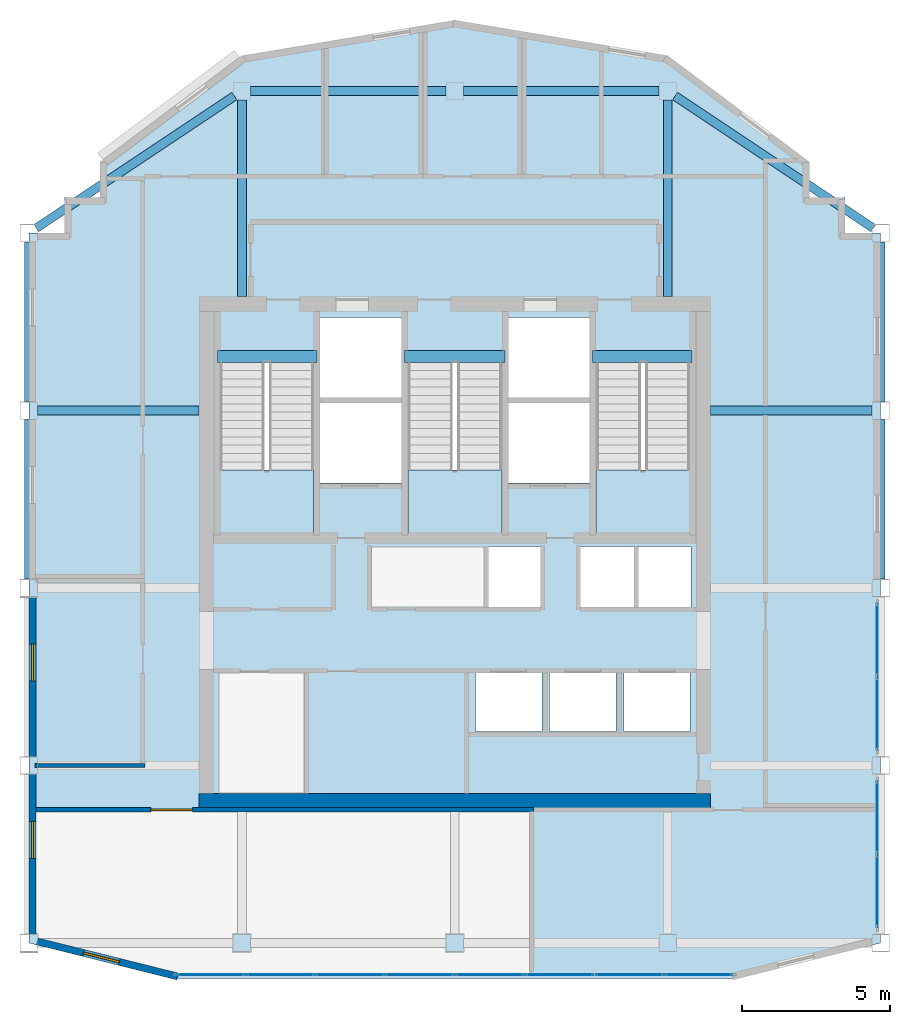
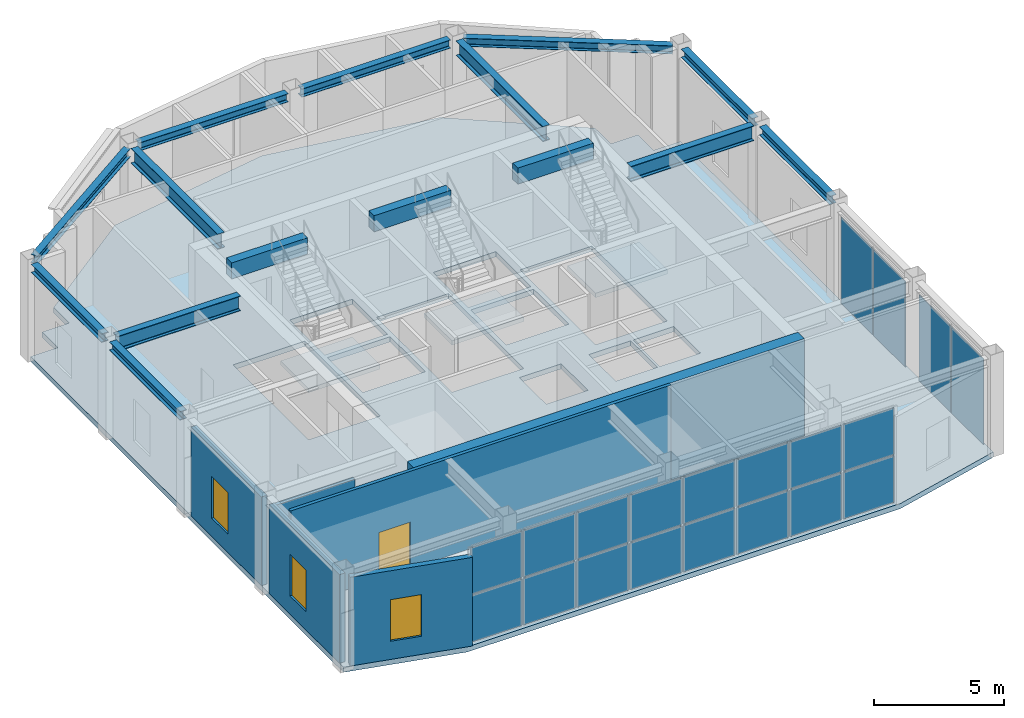
# One storey, part 6 of 11: 20 plates, 15 beams, 6 walls, 4 slabs, 3 windows, 1 door, 4 openings, 6 elements without a shape of their own.
"""IFC4 building model written with IfcOpenShell, lengths in metres."""

from ifc_helpers import new_model, si_unit, direction, frame, frame_2d, origin, origin_2d, place, context, subcontext, project, spatial, polyline, rectangle, i_section, outline, extrude, material, layer, layer_set, material_profile, profile_set, type_object, element, fill, aggregate, save


model = new_model("IFC4")

# Units and contexts
model_context = context("Model", 3, precision=1e-05, world=origin(), true_north=direction((0.0, 1.0)))
body_context = subcontext(model_context, "Body", "Model", "MODEL_VIEW")
ifc_project = project(units=[si_unit("LENGTHUNIT", "METRE"), si_unit("AREAUNIT", "SQUARE_METRE"), si_unit("VOLUMEUNIT", "CUBIC_METRE"), si_unit("PLANEANGLEUNIT", "RADIAN"), si_unit("MASSUNIT", "GRAM", prefix="KILO")], contexts=[model_context])

# Site, building, storey
site_placement = place(None, origin())
site = spatial("IfcSite", under=ifc_project, at=site_placement, CompositionType="ELEMENT")
building_placement = place(site_placement, origin())
building = spatial("IfcBuilding", under=site, at=building_placement, Name="Haolan Belvedere Tower", CompositionType="ELEMENT")
storey_placement = place(building_placement, frame((0.0, 0.0, 313.39990234375)))
storey = spatial("IfcBuildingStorey", under=building, at=storey_placement, Name="L79", CompositionType="ELEMENT", Elevation=313.39990234375)

# Beams
ifc_material_1 = material(Name="Steel Q355B", Category="steel")
ifc_material_profile_1 = material_profile(ifc_material_1, i_section(OverallWidth=0.300048828125, OverallDepth=0.389892578125, WebThickness=0.010009765625, FlangeThickness=0.01611328125, FilletRadius=0.02197265625, at=origin_2d()), Name="Steel Q355B")
ifc_profile_set_1 = profile_set([ifc_material_profile_1], Name="Steel Q355B")
beam_type_1 = type_object("IfcBeamType", Name="BM-HM390x300x10x16", PredefinedType="SPANDREL", material=ifc_profile_set_1)
for number, where, z_axis, x_axis, name in (
    (1, (24.0, 33.89990234375, 4.364990234375), (0.0, 1.0, 0.0), (-1.0, 0.0, 0.0), "L79 spandrel girder MC-T3-MW-TC-T3-W2"),
    (2, (24.0, 39.89990234375, 4.364990234375), (0.0, 1.0, 0.0), (-1.0, 0.0, 0.0), "L79 spandrel girder TC-T3-W2-MC-T3-NW"),
    (3, (52.800048828125, 33.89990234375, 4.364990234375), (0.0, 1.0, 0.0), (-1.0, 0.0, 0.0), "L79 spandrel girder MC-T3-ME-TC-T3-E2"),
    (4, (52.800048828125, 39.89990234375, 4.364990234375), (0.0, 1.0, 0.0), (-1.0, 0.0, 0.0), "L79 spandrel girder TC-T3-E2-MC-T3-NE"),
):
    element("IfcBeam", number, at=place(storey_placement, frame(where, z_axis=z_axis, x_axis=x_axis)), inside=storey, type_object=beam_type_1, Name=name, PredefinedType="SPANDREL", context=body_context, shape_type="SweptSolid", body=[
        extrude(i_section(OverallWidth=0.300048828125, OverallDepth=0.389892578125, WebThickness=0.010009765625, FlangeThickness=0.01611328125, FilletRadius=0.02197265625, at=origin_2d()), origin(), (0.0, 0.0, 1.0), 5.400146484375),
    ])
beam_1_placement = place(storey_placement, frame((24.24951171875, 45.766357421875, 4.364990234375), z_axis=(0.832050294338, 0.554700196225, 0.0), x_axis=(-0.554700196225, 0.832050294338, 0.0)))
element("IfcBeam", 5, at=beam_1_placement, inside=storey, type_object=beam_type_1, Name="L79 spandrel girder MC-T3-NW-MC-T3-N1", PredefinedType="SPANDREL", context=body_context, shape_type="SweptSolid", body=[
    extrude(i_section(OverallWidth=0.300048828125, OverallDepth=0.389892578125, WebThickness=0.010009765625, FlangeThickness=0.01611328125, FilletRadius=0.02197265625, at=origin_2d()), origin(), (0.0, 0.0, 1.0), 8.053466796875),
])
for number, where, z_axis, x_axis, name in (
    (6, (31.5, 50.39990234375, 4.364990234375), (1.0, 0.0, 0.0), (0.0, 1.0, 0.0), "L79 spandrel girder MC-T3-N1-TC-T3-NM"),
    (7, (38.699951171875, 50.39990234375, 4.364990234375), (1.0, 0.0, 0.0), (0.0, 1.0, 0.0), "L79 spandrel girder TC-T3-NM-MC-T3-N2"),
):
    element("IfcBeam", number, at=place(storey_placement, frame(where, z_axis=z_axis, x_axis=x_axis)), inside=storey, type_object=beam_type_1, Name=name, PredefinedType="SPANDREL", context=body_context, shape_type="SweptSolid", body=[
        extrude(i_section(OverallWidth=0.300048828125, OverallDepth=0.389892578125, WebThickness=0.010009765625, FlangeThickness=0.01611328125, FilletRadius=0.02197265625, at=origin_2d()), origin(), (0.0, 0.0, 1.0), 6.60009765625),
    ])
beam_2_placement = place(storey_placement, frame((45.849609375, 50.233642578125, 4.364990234375), z_axis=(0.832040966354, -0.554714187946, 0.0), x_axis=(0.554714187946, 0.832040966354, 0.0)))
element("IfcBeam", 8, at=beam_2_placement, inside=storey, type_object=beam_type_1, Name="L79 spandrel girder MC-T3-N2-MC-T3-NE", PredefinedType="SPANDREL", context=body_context, shape_type="SweptSolid", body=[
    extrude(i_section(OverallWidth=0.300048828125, OverallDepth=0.389892578125, WebThickness=0.010009765625, FlangeThickness=0.01611328125, FilletRadius=0.02197265625, at=origin_2d()), origin(), (0.0, 0.0, 1.0), 8.05322265625),
])
ifc_material_profile_2 = material_profile(ifc_material_1, i_section(OverallWidth=0.300048828125, OverallDepth=0.699951171875, WebThickness=0.012939453125, FlangeThickness=0.02392578125, FilletRadius=0.02587890625, at=origin_2d()), Name="Steel Q355B")
ifc_profile_set_2 = profile_set([ifc_material_profile_2], Name="Steel Q355B")
beam_type_2 = type_object("IfcBeamType", Name="BM-HN700x300x13x24", PredefinedType="BEAM", material=ifc_profile_set_2)
for number, where, z_axis, x_axis, name in (
    (9, (24.300048828125, 39.60009765625, 4.210205078125), (1.0, 0.0, 0.0), (0.0, 1.0, 0.0), "L79 core tie beam from TC-T3-W2"),
    (10, (52.5, 39.60009765625, 4.210205078125), (-1.0, 0.0, 0.0), (0.0, -1.0, 0.0), "L79 core tie beam from TC-T3-E2"),
):
    element("IfcBeam", number, at=place(storey_placement, frame(where, z_axis=z_axis, x_axis=x_axis)), inside=storey, type_object=beam_type_2, Name=name, PredefinedType="BEAM", context=body_context, shape_type="SweptSolid", body=[
        extrude(i_section(OverallWidth=0.300048828125, OverallDepth=0.699951171875, WebThickness=0.012939453125, FlangeThickness=0.02392578125, FilletRadius=0.02587890625, at=origin_2d()), origin(), (0.0, 0.0, 1.0), 5.449951171875),
    ])
for number, where, z_axis, x_axis, name in (
    (11, (31.199951171875, 50.10009765625, 4.210205078125), (0.0, -1.0, 0.0), (1.0, 0.0, 0.0), "L79 core tie beam from MC-T3-N1"),
    (12, (45.60009765625, 50.10009765625, 4.210205078125), (0.0, -1.0, 0.0), (1.0, 0.0, 0.0), "L79 core tie beam from MC-T3-N2"),
):
    element("IfcBeam", number, at=place(storey_placement, frame(where, z_axis=z_axis, x_axis=x_axis)), inside=storey, type_object=beam_type_2, Name=name, PredefinedType="BEAM", context=body_context, shape_type="SweptSolid", body=[
        extrude(i_section(OverallWidth=0.300048828125, OverallDepth=0.699951171875, WebThickness=0.012939453125, FlangeThickness=0.02392578125, FilletRadius=0.02587890625, at=origin_2d()), origin(), (0.0, 0.0, 1.0), 6.650146484375),
    ])
ifc_material_2 = material(Name="Concrete C50/60", Category="concrete")
ifc_material_profile_3 = material_profile(ifc_material_2, rectangle(XDim=0.39990234375, YDim=0.75, at=origin_2d()), Name="Concrete C50/60")
ifc_profile_set_3 = profile_set([ifc_material_profile_3], Name="Concrete C50/60")
beam_type_3 = type_object("IfcBeamType", Name="BM-RC400x750", PredefinedType="T_BEAM", material=ifc_profile_set_3)
beam_3_placement = place(storey_placement, frame((30.3798828125, 41.429931640625, 4.425048828125), z_axis=(1.0, 0.0, 0.0), x_axis=(0.0, 1.0, 0.0)))
element("IfcBeam", 13, at=beam_3_placement, inside=storey, type_object=beam_type_3, Name="L80 stair ST1 RC header trimmer beam", PredefinedType="BEAM", context=body_context, shape_type="SweptSolid", body=[
    extrude(rectangle(XDim=0.39990234375, YDim=0.75, at=origin_2d()), origin(), (0.0, 0.0, 1.0), 3.360107421875),
])
beam_4_placement = place(storey_placement, frame((36.699951171875, 41.429931640625, 4.425048828125), z_axis=(1.0, 0.0, 0.0), x_axis=(0.0, 1.0, 0.0)))
element("IfcBeam", 14, at=beam_4_placement, inside=storey, type_object=beam_type_3, Name="L80 stair ST3 RC header trimmer beam", PredefinedType="BEAM", context=body_context, shape_type="SweptSolid", body=[
    extrude(rectangle(XDim=0.39990234375, YDim=0.75, at=origin_2d()), origin(), (0.0, 0.0, 1.0), 3.400146484375),
])
beam_5_placement = place(storey_placement, frame((43.06005859375, 41.429931640625, 4.425048828125), z_axis=(1.0, 0.0, 0.0), x_axis=(0.0, 1.0, 0.0)))
element("IfcBeam", 15, at=beam_5_placement, inside=storey, type_object=beam_type_3, Name="L80 stair ST2 RC header trimmer beam", PredefinedType="BEAM", context=body_context, shape_type="SweptSolid", body=[
    extrude(rectangle(XDim=0.39990234375, YDim=0.75, at=origin_2d()), origin(), (0.0, 0.0, 1.0), 3.35986328125),
])

# Curtain wall, plates
ifc_material_3 = material(Name="Anodised champagne-silver aluminium 6063-T6 and Low-E glass", Category="aluminium")
ifc_layer_1 = layer(ifc_material_3, 0.195068359375, Name="Anodised champagne-silver aluminium 6063-T6 and Low-E glass")
ifc_layer_set_1 = layer_set([ifc_layer_1], Name="Anodised champagne-silver aluminium 6063-T6 and Low-E glass")
curtain_wall_type = type_object("IfcCurtainWallType", Name="CW-SYS-06", PredefinedType="NOTDEFINED", material=ifc_layer_set_1)
curtain_wall_1_placement = place(storey_placement, origin())
curtain_wall_1 = element("IfcCurtainWall", 16, at=curtain_wall_1_placement, inside=storey, type_object=curtain_wall_type, Name="L79 CW-SYS-06 ribbon curtain wall 1.1", PredefinedType="NOTDEFINED")
ifc_material_4 = material(Name="Double silver Low-E laminated insulating glass", Category="glass")
ifc_layer_2 = layer(ifc_material_4, 0.031982421875, Name="Double silver Low-E laminated insulating glass")
ifc_layer_set_2 = layer_set([ifc_layer_2], Name="Double silver Low-E laminated insulating glass")
plate_type = type_object("IfcPlateType", Name="CW-SYS-06-PNL", PredefinedType="CURTAIN_PANEL", material=ifc_layer_set_2)
plate_1_placement = place(storey_placement, frame((30.15283203125, 20.52001953125, 0.06494140625), z_axis=(0.0, 0.0, 1.0), x_axis=(1.0, 0.0, 0.0)))
plate_1 = element("IfcPlate", 17, at=plate_1_placement, type_object=plate_type, Name="CW-06 panel 1.1", PredefinedType="CURTAIN_PANEL", context=body_context, shape_type="SweptSolid", body=[
    extrude(rectangle(XDim=2.25634765625, YDim=0.031982421875, at=origin_2d()), origin(), (0.0, 0.0, 1.0), 2.1826171875),
])
plate_2_placement = place(storey_placement, frame((30.15283203125, 20.52001953125, 2.3125), z_axis=(0.0, 0.0, 1.0), x_axis=(1.0, 0.0, 0.0)))
plate_2 = element("IfcPlate", 18, at=plate_2_placement, type_object=plate_type, Name="CW-06 panel 1.2", PredefinedType="CURTAIN_PANEL", context=body_context, shape_type="SweptSolid", body=[
    extrude(rectangle(XDim=2.25634765625, YDim=0.031982421875, at=origin_2d()), origin(), (0.0, 0.0, 1.0), 2.1826171875),
])
plate_3_placement = place(storey_placement, frame((32.496826171875, 20.52001953125, 0.06494140625), z_axis=(0.0, 0.0, 1.0), x_axis=(1.0, 0.0, 0.0)))
plate_3 = element("IfcPlate", 19, at=plate_3_placement, type_object=plate_type, Name="CW-06 panel 2.1", PredefinedType="CURTAIN_PANEL", context=body_context, shape_type="SweptSolid", body=[
    extrude(rectangle(XDim=2.291259765625, YDim=0.031982421875, at=origin_2d()), origin(), (0.0, 0.0, 1.0), 2.1826171875),
])
plate_4_placement = place(storey_placement, frame((32.496826171875, 20.52001953125, 2.3125), z_axis=(0.0, 0.0, 1.0), x_axis=(1.0, 0.0, 0.0)))
plate_4 = element("IfcPlate", 20, at=plate_4_placement, type_object=plate_type, Name="CW-06 panel 2.2", PredefinedType="CURTAIN_PANEL", context=body_context, shape_type="SweptSolid", body=[
    extrude(rectangle(XDim=2.291259765625, YDim=0.031982421875, at=origin_2d()), origin(), (0.0, 0.0, 1.0), 2.1826171875),
])
plate_5_placement = place(storey_placement, frame((34.858154296875, 20.52001953125, 0.06494140625), z_axis=(0.0, 0.0, 1.0), x_axis=(1.0, 0.0, 0.0)))
plate_5 = element("IfcPlate", 21, at=plate_5_placement, type_object=plate_type, Name="CW-06 panel 3.1", PredefinedType="CURTAIN_PANEL", context=body_context, shape_type="SweptSolid", body=[
    extrude(rectangle(XDim=2.291259765625, YDim=0.031982421875, at=origin_2d()), origin(), (0.0, 0.0, 1.0), 2.1826171875),
])
plate_6_placement = place(storey_placement, frame((34.858154296875, 20.52001953125, 2.3125), z_axis=(0.0, 0.0, 1.0), x_axis=(1.0, 0.0, 0.0)))
plate_6 = element("IfcPlate", 22, at=plate_6_placement, type_object=plate_type, Name="CW-06 panel 3.2", PredefinedType="CURTAIN_PANEL", context=body_context, shape_type="SweptSolid", body=[
    extrude(rectangle(XDim=2.291259765625, YDim=0.031982421875, at=origin_2d()), origin(), (0.0, 0.0, 1.0), 2.1826171875),
])
plate_7_placement = place(storey_placement, frame((37.21923828125, 20.52001953125, 0.06494140625), z_axis=(0.0, 0.0, 1.0), x_axis=(1.0, 0.0, 0.0)))
plate_7 = element("IfcPlate", 23, at=plate_7_placement, type_object=plate_type, Name="CW-06 panel 4.1", PredefinedType="CURTAIN_PANEL", context=body_context, shape_type="SweptSolid", body=[
    extrude(rectangle(XDim=2.291259765625, YDim=0.031982421875, at=origin_2d()), origin(), (0.0, 0.0, 1.0), 2.1826171875),
])
plate_8_placement = place(storey_placement, frame((37.21923828125, 20.52001953125, 2.3125), z_axis=(0.0, 0.0, 1.0), x_axis=(1.0, 0.0, 0.0)))
plate_8 = element("IfcPlate", 24, at=plate_8_placement, type_object=plate_type, Name="CW-06 panel 4.2", PredefinedType="CURTAIN_PANEL", context=body_context, shape_type="SweptSolid", body=[
    extrude(rectangle(XDim=2.291259765625, YDim=0.031982421875, at=origin_2d()), origin(), (0.0, 0.0, 1.0), 2.1826171875),
])
plate_9_placement = place(storey_placement, frame((39.58056640625, 20.52001953125, 0.06494140625), z_axis=(0.0, 0.0, 1.0), x_axis=(1.0, 0.0, 0.0)))
plate_9 = element("IfcPlate", 25, at=plate_9_placement, type_object=plate_type, Name="CW-06 panel 5.1", PredefinedType="CURTAIN_PANEL", context=body_context, shape_type="SweptSolid", body=[
    extrude(rectangle(XDim=2.291259765625, YDim=0.031982421875, at=origin_2d()), origin(), (0.0, 0.0, 1.0), 2.1826171875),
])
plate_10_placement = place(storey_placement, frame((39.58056640625, 20.52001953125, 2.3125), z_axis=(0.0, 0.0, 1.0), x_axis=(1.0, 0.0, 0.0)))
plate_10 = element("IfcPlate", 26, at=plate_10_placement, type_object=plate_type, Name="CW-06 panel 5.2", PredefinedType="CURTAIN_PANEL", context=body_context, shape_type="SweptSolid", body=[
    extrude(rectangle(XDim=2.291259765625, YDim=0.031982421875, at=origin_2d()), origin(), (0.0, 0.0, 1.0), 2.1826171875),
])
plate_11_placement = place(storey_placement, frame((41.94189453125, 20.52001953125, 0.06494140625), z_axis=(0.0, 0.0, 1.0), x_axis=(1.0, 0.0, 0.0)))
plate_11 = element("IfcPlate", 27, at=plate_11_placement, type_object=plate_type, Name="CW-06 panel 6.1", PredefinedType="CURTAIN_PANEL", context=body_context, shape_type="SweptSolid", body=[
    extrude(rectangle(XDim=2.291259765625, YDim=0.031982421875, at=origin_2d()), origin(), (0.0, 0.0, 1.0), 2.1826171875),
])
plate_12_placement = place(storey_placement, frame((41.94189453125, 20.52001953125, 2.3125), z_axis=(0.0, 0.0, 1.0), x_axis=(1.0, 0.0, 0.0)))
plate_12 = element("IfcPlate", 28, at=plate_12_placement, type_object=plate_type, Name="CW-06 panel 6.2", PredefinedType="CURTAIN_PANEL", context=body_context, shape_type="SweptSolid", body=[
    extrude(rectangle(XDim=2.291259765625, YDim=0.031982421875, at=origin_2d()), origin(), (0.0, 0.0, 1.0), 2.1826171875),
])
plate_13_placement = place(storey_placement, frame((44.30322265625, 20.52001953125, 0.06494140625), z_axis=(0.0, 0.0, 1.0), x_axis=(1.0, 0.0, 0.0)))
plate_13 = element("IfcPlate", 29, at=plate_13_placement, type_object=plate_type, Name="CW-06 panel 7.1", PredefinedType="CURTAIN_PANEL", context=body_context, shape_type="SweptSolid", body=[
    extrude(rectangle(XDim=2.291259765625, YDim=0.031982421875, at=origin_2d()), origin(), (0.0, 0.0, 1.0), 2.1826171875),
])
plate_14_placement = place(storey_placement, frame((44.30322265625, 20.52001953125, 2.3125), z_axis=(0.0, 0.0, 1.0), x_axis=(1.0, 0.0, 0.0)))
plate_14 = element("IfcPlate", 30, at=plate_14_placement, type_object=plate_type, Name="CW-06 panel 7.2", PredefinedType="CURTAIN_PANEL", context=body_context, shape_type="SweptSolid", body=[
    extrude(rectangle(XDim=2.291259765625, YDim=0.031982421875, at=origin_2d()), origin(), (0.0, 0.0, 1.0), 2.1826171875),
])
plate_15_placement = place(storey_placement, frame((46.64697265625, 20.52001953125, 0.06494140625), z_axis=(0.0, 0.0, 1.0), x_axis=(1.0, 0.0, 0.0)))
plate_15 = element("IfcPlate", 31, at=plate_15_placement, type_object=plate_type, Name="CW-06 panel 8.1", PredefinedType="CURTAIN_PANEL", context=body_context, shape_type="SweptSolid", body=[
    extrude(rectangle(XDim=2.25634765625, YDim=0.031982421875, at=origin_2d()), origin(), (0.0, 0.0, 1.0), 2.1826171875),
])
plate_16_placement = place(storey_placement, frame((46.64697265625, 20.52001953125, 2.3125), z_axis=(0.0, 0.0, 1.0), x_axis=(1.0, 0.0, 0.0)))
plate_16 = element("IfcPlate", 32, at=plate_16_placement, type_object=plate_type, Name="CW-06 panel 8.2", PredefinedType="CURTAIN_PANEL", context=body_context, shape_type="SweptSolid", body=[
    extrude(rectangle(XDim=2.25634765625, YDim=0.031982421875, at=origin_2d()), origin(), (0.0, 0.0, 1.0), 2.1826171875),
])
aggregate(curtain_wall_1, [plate_1, plate_2, plate_3, plate_4, plate_5, plate_6, plate_7, plate_8, plate_9, plate_10, plate_11, plate_12, plate_13, plate_14, plate_15, plate_16])

curtain_wall_2_placement = place(storey_placement, origin())
curtain_wall_2 = element("IfcCurtainWall", 33, at=curtain_wall_2_placement, inside=storey, type_object=curtain_wall_type, Name="L79 CW-SYS-06 ribbon curtain wall 3.1", PredefinedType="NOTDEFINED")
plate_17_placement = place(storey_placement, frame((52.679931640625, 23.347412109375, 0.065185546875), z_axis=(0.0, 0.0, 1.0), x_axis=(0.0, 1.0, 0.0)))
plate_17 = element("IfcPlate", 34, at=plate_17_placement, type_object=plate_type, Name="CW-06 panel 1.1", PredefinedType="CURTAIN_PANEL", context=body_context, shape_type="SweptSolid", body=[
    extrude(rectangle(XDim=2.43505859375, YDim=0.031982421875, at=origin_2d()), origin(), (0.0, 0.0, 1.0), 4.02490234375),
])
plate_18_placement = place(storey_placement, frame((52.679931640625, 25.8525390625, 0.065185546875), z_axis=(0.0, 0.0, 1.0), x_axis=(0.0, 1.0, 0.0)))
plate_18 = element("IfcPlate", 35, at=plate_18_placement, type_object=plate_type, Name="CW-06 panel 2.1", PredefinedType="CURTAIN_PANEL", context=body_context, shape_type="SweptSolid", body=[
    extrude(rectangle(XDim=2.43505859375, YDim=0.031982421875, at=origin_2d()), origin(), (0.0, 0.0, 1.0), 4.02490234375),
])
aggregate(curtain_wall_2, [plate_17, plate_18])

curtain_wall_3_placement = place(storey_placement, origin())
curtain_wall_3 = element("IfcCurtainWall", 36, at=curtain_wall_3_placement, inside=storey, type_object=curtain_wall_type, Name="L79 CW-SYS-06 ribbon curtain wall 3.2", PredefinedType="NOTDEFINED")
plate_19_placement = place(storey_placement, frame((52.679931640625, 29.347412109375, 0.065185546875), z_axis=(0.0, 0.0, 1.0), x_axis=(0.0, 1.0, 0.0)))
plate_19 = element("IfcPlate", 37, at=plate_19_placement, type_object=plate_type, Name="CW-06 panel 1.1", PredefinedType="CURTAIN_PANEL", context=body_context, shape_type="SweptSolid", body=[
    extrude(rectangle(XDim=2.43505859375, YDim=0.031982421875, at=origin_2d()), origin(), (0.0, 0.0, 1.0), 4.02490234375),
])
plate_20_placement = place(storey_placement, frame((52.679931640625, 31.8525390625, 0.065185546875), z_axis=(0.0, 0.0, 1.0), x_axis=(0.0, 1.0, 0.0)))
plate_20 = element("IfcPlate", 38, at=plate_20_placement, type_object=plate_type, Name="CW-06 panel 2.1", PredefinedType="CURTAIN_PANEL", context=body_context, shape_type="SweptSolid", body=[
    extrude(rectangle(XDim=2.43505859375, YDim=0.031982421875, at=origin_2d()), origin(), (0.0, 0.0, 1.0), 4.02490234375),
])
aggregate(curtain_wall_3, [plate_19, plate_20])

# Slab
ifc_material_5 = material(Name="Concrete C40/50", Category="concrete")
ifc_layer_3 = layer(ifc_material_5, 0.239990234375, Name="Concrete C40/50")
ifc_layer_set_3 = layer_set([ifc_layer_3], Name="Concrete C40/50")
slab_type_1 = type_object("IfcSlabType", Name="SL-FLR-240", PredefinedType="FLOOR", material=ifc_layer_set_3)
slab_1_placement = place(storey_placement, frame((0.0, 0.0, -0.239990234375)))
element("IfcSlab", 39, at=slab_1_placement, inside=storey, type_object=slab_type_1, Name="L79 structural floor slab", PredefinedType="FLOOR", context=body_context, shape_type="SweptSolid", body=[
    extrude(outline(polyline([(24.0, 21.60009765625), (28.800048828125, 20.39990234375), (48.0, 20.39990234375), (52.800048828125, 21.60009765625), (52.800048828125, 45.60009765625), (52.800048828125, 45.60009765625), (51.60009765625, 45.60009765625), (51.60009765625, 46.800048828125), (50.39990234375, 46.800048828125), (50.39990234375, 48.0), (45.60009765625, 51.60009765625), (38.39990234375, 52.800048828125), (31.199951171875, 51.60009765625), (26.39990234375, 48.0), (26.39990234375, 46.800048828125), (25.199951171875, 46.800048828125), (25.199951171875, 45.60009765625), (24.0, 45.60009765625), (24.0, 45.60009765625), (24.0, 21.60009765625)]), holes=[polyline([(30.449951171875, 41.22998046875), (30.449951171875, 35.449951171875), (33.6298828125, 35.449951171875), (33.6298828125, 41.22998046875), (30.449951171875, 41.22998046875)]), polyline([(36.81005859375, 41.22998046875), (36.81005859375, 35.449951171875), (39.989990234375, 35.449951171875), (39.989990234375, 41.22998046875), (36.81005859375, 41.22998046875)]), polyline([(43.169921875, 41.22998046875), (43.169921875, 35.449951171875), (46.35009765625, 35.449951171875), (46.35009765625, 41.22998046875), (43.169921875, 41.22998046875)]), polyline([(33.830078125, 40.050048828125), (36.610107421875, 40.050048828125), (36.610107421875, 42.75), (33.830078125, 42.75), (33.830078125, 40.050048828125)]), polyline([(33.830078125, 37.14990234375), (36.610107421875, 37.14990234375), (36.610107421875, 39.85009765625), (33.830078125, 39.85009765625), (33.830078125, 37.14990234375)]), polyline([(40.18994140625, 40.050048828125), (42.969970703125, 40.050048828125), (42.969970703125, 42.75), (40.18994140625, 42.75), (40.18994140625, 40.050048828125)]), polyline([(40.18994140625, 37.14990234375), (42.969970703125, 37.14990234375), (42.969970703125, 39.85009765625), (40.18994140625, 39.85009765625), (40.18994140625, 37.14990234375)]), polyline([(39.5400390625, 32.949951171875), (41.389892578125, 32.949951171875), (41.389892578125, 35.0), (39.5400390625, 35.0), (39.5400390625, 32.949951171875)]), polyline([(42.6201171875, 32.949951171875), (44.469970703125, 32.949951171875), (44.469970703125, 35.0), (42.6201171875, 35.0), (42.6201171875, 32.949951171875)]), polyline([(44.580078125, 32.949951171875), (46.3798828125, 32.949951171875), (46.3798828125, 35.0), (44.580078125, 35.0), (44.580078125, 32.949951171875)]), polyline([(39.10009765625, 28.75), (41.340087890625, 28.75), (41.340087890625, 30.75), (39.10009765625, 30.75), (39.10009765625, 28.75)]), polyline([(41.610107421875, 28.75), (43.85009765625, 28.75), (43.85009765625, 30.75), (41.610107421875, 30.75), (41.610107421875, 28.75)]), polyline([(44.1201171875, 28.75), (46.360107421875, 28.75), (46.360107421875, 30.75), (44.1201171875, 30.75), (44.1201171875, 28.75)])]), origin(), (0.0, 0.0, 1.0), 0.239990234375),
])

# Stair, slab
stair_type = type_object("IfcStairType", Name="STR-DL-28R-171", PredefinedType="HALF_TURN_STAIR", material=ifc_material_5)
stair_1_placement = place(storey_placement, origin())
stair_1 = element("IfcStair", 40, at=stair_1_placement, inside=storey, type_object=stair_type, Name="L79 Smokeproof Core Exit Stair ST1", PredefinedType="HALF_TURN_STAIR")
ifc_layer_4 = layer(ifc_material_5, 0.199951171875, Name="Concrete C40/50")
ifc_layer_set_4 = layer_set([ifc_layer_4], Name="Concrete C40/50")
slab_type_2 = type_object("IfcSlabType", Name="SL-LAND-200", PredefinedType="LANDING", material=ifc_layer_set_4)
slab_2_placement = place(storey_placement, frame((0.0, 0.0, 2.2001953125)))
slab_2 = element("IfcSlab", 41, at=slab_2_placement, type_object=slab_type_2, Name="ST1 landing 1", PredefinedType="LANDING", context=body_context, shape_type="SweptSolid", body=[
    extrude(outline(polyline([(30.449951171875, 37.590087890625), (30.449951171875, 35.449951171875), (33.6298828125, 35.449951171875), (33.6298828125, 37.590087890625), (30.449951171875, 37.590087890625)])), origin(), (0.0, 0.0, 1.0), 0.199951171875),
])
aggregate(stair_1, [slab_2])

stair_2_placement = place(storey_placement, origin())
stair_2 = element("IfcStair", 42, at=stair_2_placement, inside=storey, type_object=stair_type, Name="L79 Smokeproof Core Exit Stair ST3", PredefinedType="HALF_TURN_STAIR")
slab_3_placement = place(storey_placement, frame((0.0, 0.0, 2.2001953125)))
slab_3 = element("IfcSlab", 43, at=slab_3_placement, type_object=slab_type_2, Name="ST3 landing 1", PredefinedType="LANDING", context=body_context, shape_type="SweptSolid", body=[
    extrude(outline(polyline([(36.81005859375, 37.590087890625), (36.81005859375, 35.449951171875), (39.989990234375, 35.449951171875), (39.989990234375, 37.590087890625), (36.81005859375, 37.590087890625)])), origin(), (0.0, 0.0, 1.0), 0.199951171875),
])
aggregate(stair_2, [slab_3])

stair_3_placement = place(storey_placement, origin())
stair_3 = element("IfcStair", 44, at=stair_3_placement, inside=storey, type_object=stair_type, Name="L79 Smokeproof Core Exit Stair ST2", PredefinedType="HALF_TURN_STAIR")
slab_4_placement = place(storey_placement, frame((0.0, 0.0, 2.2001953125)))
slab_4 = element("IfcSlab", 45, at=slab_4_placement, type_object=slab_type_2, Name="ST2 landing 1", PredefinedType="LANDING", context=body_context, shape_type="SweptSolid", body=[
    extrude(outline(polyline([(43.169921875, 37.590087890625), (43.169921875, 35.449951171875), (46.35009765625, 35.449951171875), (46.35009765625, 37.590087890625), (43.169921875, 37.590087890625)])), origin(), (0.0, 0.0, 1.0), 0.199951171875),
])
aggregate(stair_3, [slab_4])

# Wall
ifc_layer_5 = layer(ifc_material_2, 0.5, Name="Concrete C50/60")
ifc_layer_set_5 = layer_set([ifc_layer_5], Name="Concrete C50/60")
wall_type_1 = type_object("IfcWallType", Name="WL-CORE-500", PredefinedType="SHEAR", material=ifc_layer_set_5)
wall_1_placement = place(storey_placement, frame((29.75, 26.39990234375, 0.0), z_axis=(0.0, 0.0, 1.0), x_axis=(1.0, 0.0, 0.0)))
element("IfcWall", 46, at=wall_1_placement, inside=storey, type_object=wall_type_1, Name="L79 central core south shear wall", PredefinedType="SHEAR", context=body_context, shape_type="SweptSolid", body=[
    extrude(rectangle(XDim=17.300048828125, YDim=0.5, at=frame_2d((8.64990234375, 0.0))), origin(), (0.0, 0.0, 1.0), 4.56005859375),
])

# Wall, opening, window
ifc_material_6 = material(Name="Precast concrete C40/50", Category="concrete")
ifc_layer_6 = layer(ifc_material_6, 0.239990234375, Name="Precast concrete C40/50")
ifc_layer_set_6 = layer_set([ifc_layer_6], Name="Precast concrete C40/50")
wall_type_2 = type_object("IfcWallType", Name="WL-EXT-240", PredefinedType="SOLIDWALL", material=ifc_layer_set_6)
wall_2_placement = place(storey_placement, frame((24.1201171875, 33.30810546875, 0.0), z_axis=(0.0, 0.0, 1.0), x_axis=(0.0, -1.0, 0.0)))
wall_2 = element("IfcWall", 47, at=wall_2_placement, inside=storey, type_object=wall_type_2, Name="L79 pale-metal exterior spandrel wall 16.3", PredefinedType="SOLIDWALL", context=body_context, shape_type="SweptSolid", body=[
    extrude(rectangle(XDim=5.416015625, YDim=0.239990234375, at=frame_2d((2.7080078125, 0.0))), origin(), (0.0, 0.0, 1.0), 4.155029296875),
])
opening_1_placement = place(wall_2_placement, frame((1.60009765625, 0.0, 0.85009765625)))
opening_1 = element("IfcOpeningElement", 48, at=opening_1_placement, cuts=wall_2, Name="Opening W-04", PredefinedType="OPENING", context=body_context, shape_type="SweptSolid", body=[
    extrude(rectangle(XDim=1.25, YDim=1.949951171875, at=frame_2d((0.625, 0.97509765625))), frame((0.0, 0.1298828125, 0.0), z_axis=(0.0, -1.0, 0.0), x_axis=(1.0, 0.0, 0.0)), (0.0, 0.0, 1.0), 0.260009765625),
])
ifc_material_7 = material(Name="Anodised aluminium 6063-T6 and Low-E glass", Category="aluminium")
window_type = type_object("IfcWindowType", Name="WN-DECO-Z4", PartitioningType="SINGLE_PANEL", PredefinedType="WINDOW", material=ifc_material_7)
window_1_placement = place(opening_1_placement, origin())
window_1 = element("IfcWindow", 49, at=window_1_placement, inside=storey, type_object=window_type, Name="L79 Art Deco chevron window 1", OverallHeight=1.949951171875, OverallWidth=1.25, PartitioningType="SINGLE_PANEL", PredefinedType="WINDOW", context=body_context, shape_type="SweptSolid", body=[
    extrude(rectangle(XDim=1.25, YDim=1.949951171875, at=frame_2d((0.625, 0.97509765625))), frame((0.0, 0.030029296875, 0.0), z_axis=(0.0, -1.0, 0.0), x_axis=(1.0, 0.0, 0.0)), (0.0, 0.0, 1.0), 0.06005859375),
])
fill(opening_1, window_1)

wall_3_placement = place(storey_placement, frame((24.1201171875, 27.30810546875, 0.0), z_axis=(0.0, 0.0, 1.0), x_axis=(0.0, -1.0, 0.0)))
wall_3 = element("IfcWall", 50, at=wall_3_placement, inside=storey, type_object=wall_type_2, Name="L79 pale-metal exterior spandrel wall 16.4", PredefinedType="SOLIDWALL", context=body_context, shape_type="SweptSolid", body=[
    extrude(rectangle(XDim=5.416015625, YDim=0.239990234375, at=frame_2d((2.7080078125, 0.0))), origin(), (0.0, 0.0, 1.0), 4.155029296875),
])
opening_2_placement = place(wall_3_placement, frame((1.60009765625, 0.0, 0.85009765625)))
opening_2 = element("IfcOpeningElement", 51, at=opening_2_placement, cuts=wall_3, Name="Opening W-04", PredefinedType="OPENING", context=body_context, shape_type="SweptSolid", body=[
    extrude(rectangle(XDim=1.25, YDim=1.949951171875, at=frame_2d((0.625, 0.97509765625))), frame((0.0, 0.1298828125, 0.0), z_axis=(0.0, -1.0, 0.0), x_axis=(1.0, 0.0, 0.0)), (0.0, 0.0, 1.0), 0.260009765625),
])
window_2_placement = place(opening_2_placement, origin())
window_2 = element("IfcWindow", 52, at=window_2_placement, inside=storey, type_object=window_type, Name="L79 Art Deco chevron window 1", OverallHeight=1.949951171875, OverallWidth=1.25, PartitioningType="SINGLE_PANEL", PredefinedType="WINDOW", context=body_context, shape_type="SweptSolid", body=[
    extrude(rectangle(XDim=1.25, YDim=1.949951171875, at=frame_2d((0.625, 0.97509765625))), frame((0.0, 0.030029296875, 0.0), z_axis=(0.0, -1.0, 0.0), x_axis=(1.0, 0.0, 0.0)), (0.0, 0.0, 1.0), 0.06005859375),
])
fill(opening_2, window_2)

wall_4_placement = place(storey_placement, frame((24.2919921875, 21.650634765625, 0.0), z_axis=(0.0, 0.0, 1.0), x_axis=(0.970142500145, -0.242535625036, 0.0)))
wall_4 = element("IfcWall", 53, at=wall_4_placement, inside=storey, type_object=wall_type_2, Name="L79 pale-metal exterior spandrel wall 17.1", PredefinedType="SOLIDWALL", context=body_context, shape_type="SweptSolid", body=[
    extrude(rectangle(XDim=4.88720703125, YDim=0.239990234375, at=frame_2d((2.443603515625, 0.0))), origin(), (0.0, 0.0, 1.0), 4.155029296875),
])
opening_3_placement = place(wall_4_placement, frame((1.60009765625, 0.0, 0.85009765625)))
opening_3 = element("IfcOpeningElement", 54, at=opening_3_placement, cuts=wall_4, Name="Opening W-04", PredefinedType="OPENING", context=body_context, shape_type="SweptSolid", body=[
    extrude(rectangle(XDim=1.25, YDim=1.949951171875, at=frame_2d((0.625, 0.97509765625))), frame((0.0, 0.1298828125, 0.0), z_axis=(0.0, -1.0, 0.0), x_axis=(1.0, 0.0, 0.0)), (0.0, 0.0, 1.0), 0.260009765625),
])
window_3_placement = place(opening_3_placement, origin())
window_3 = element("IfcWindow", 55, at=window_3_placement, inside=storey, type_object=window_type, Name="L79 Art Deco chevron window 1", OverallHeight=1.949951171875, OverallWidth=1.25, PartitioningType="SINGLE_PANEL", PredefinedType="WINDOW", context=body_context, shape_type="SweptSolid", body=[
    extrude(rectangle(XDim=1.25, YDim=1.949951171875, at=frame_2d((0.625, 0.97509765625))), frame((0.0, 0.030029296875, 0.0), z_axis=(0.0, -1.0, 0.0), x_axis=(1.0, 0.0, 0.0)), (0.0, 0.0, 1.0), 0.06005859375),
])
fill(opening_3, window_3)

# Wall, opening, door
ifc_material_8 = material(Name="Double gypsum acoustic stud partition", Category="masonry")
ifc_layer_7 = layer(ifc_material_8, 0.14990234375, Name="Double gypsum acoustic stud partition")
ifc_layer_set_7 = layer_set([ifc_layer_7], Name="Double gypsum acoustic stud partition")
wall_type_3 = type_object("IfcWallType", Name="WL-PART-150", PredefinedType="PARTITIONING", material=ifc_layer_set_7)
wall_5_placement = place(storey_placement, frame((24.22509765625, 26.10009765625, 0.0), z_axis=(0.0, 0.0, 1.0), x_axis=(1.0, 0.0, 0.0)))
wall_5 = element("IfcWall", 56, at=wall_5_placement, inside=storey, type_object=wall_type_3, Name="L79 interior partition IW-L79-SREST-N", PredefinedType="PARTITIONING", context=body_context, shape_type="SweptSolid", body=[
    extrude(rectangle(XDim=16.85498046875, YDim=0.14990234375, at=frame_2d((8.427490234375, 0.0))), origin(), (0.0, 0.0, 1.0), 4.56005859375),
])
opening_4_placement = place(wall_5_placement, frame((5.299072265625, 0.0, 0.0), z_axis=(0.0, 0.0, 1.0), x_axis=(-1.0, 0.0, 0.0)))
opening_4 = element("IfcOpeningElement", 57, at=opening_4_placement, cuts=wall_5, Name="Opening ID-07", PredefinedType="OPENING", context=body_context, shape_type="SweptSolid", body=[
    extrude(rectangle(XDim=1.39990234375, YDim=2.179931640625, at=frame_2d((0.699951171875, 1.08984375))), frame((0.0, 0.0849609375, 0.0), z_axis=(0.0, -1.0, 0.0), x_axis=(1.0, 0.0, 0.0)), (0.0, 0.0, 1.0), 0.169921875),
])
ifc_material_9 = material(Name="Anodised champagne aluminium and acoustic glass", Category="aluminium")
door_type = type_object("IfcDoorType", Name="DR-DBL-1400", OperationType="DOUBLE_DOOR_SINGLE_SWING", PredefinedType="DOOR", material=ifc_material_9)
door_placement = place(opening_4_placement, origin())
door = element("IfcDoor", 58, at=door_placement, inside=storey, type_object=door_type, Name="L79 door ID-L79-SREST", OperationType="DOUBLE_DOOR_SINGLE_SWING", OverallHeight=2.179931640625, OverallWidth=1.39990234375, PredefinedType="DOOR", context=body_context, shape_type="SweptSolid", body=[
    extrude(rectangle(XDim=1.39990234375, YDim=2.179931640625, at=frame_2d((0.699951171875, 1.08984375))), frame((0.0, 0.02490234375, 0.0), z_axis=(0.0, -1.0, 0.0), x_axis=(1.0, 0.0, 0.0)), (0.0, 0.0, 1.0), 0.050048828125),
])
fill(opening_4, door)

# Wall
wall_6_placement = place(storey_placement, frame((24.2119140625, 27.60009765625, 0.0), z_axis=(0.0, 0.0, 1.0), x_axis=(1.0, 0.0, 0.0)))
element("IfcWall", 59, at=wall_6_placement, inside=storey, type_object=wall_type_3, Name="L79 interior partition IW-L79-BAR79-S", PredefinedType="PARTITIONING", context=body_context, shape_type="SweptSolid", body=[
    extrude(rectangle(XDim=3.718017578125, YDim=0.14990234375, at=frame_2d((1.85888671875, 0.0))), origin(), (0.0, 0.0, 1.0), 3.84521484375),
])

save(model, "model.ifc")
